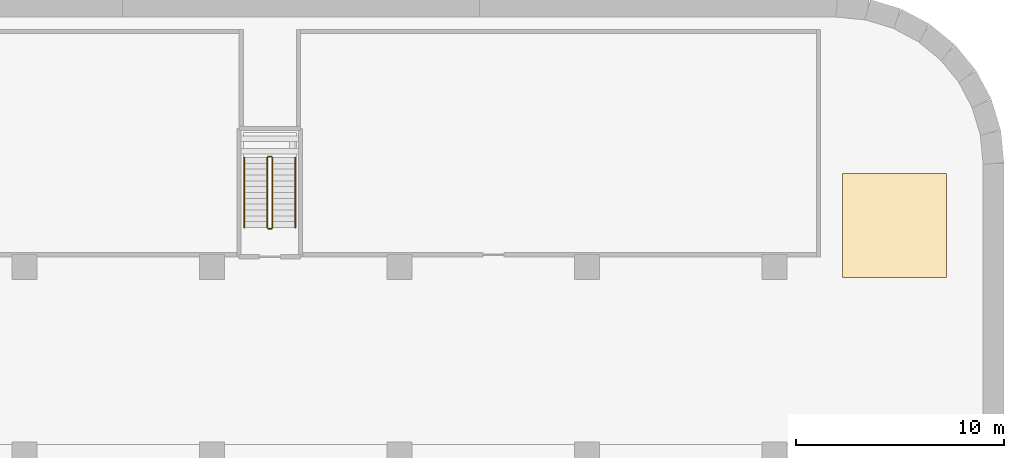
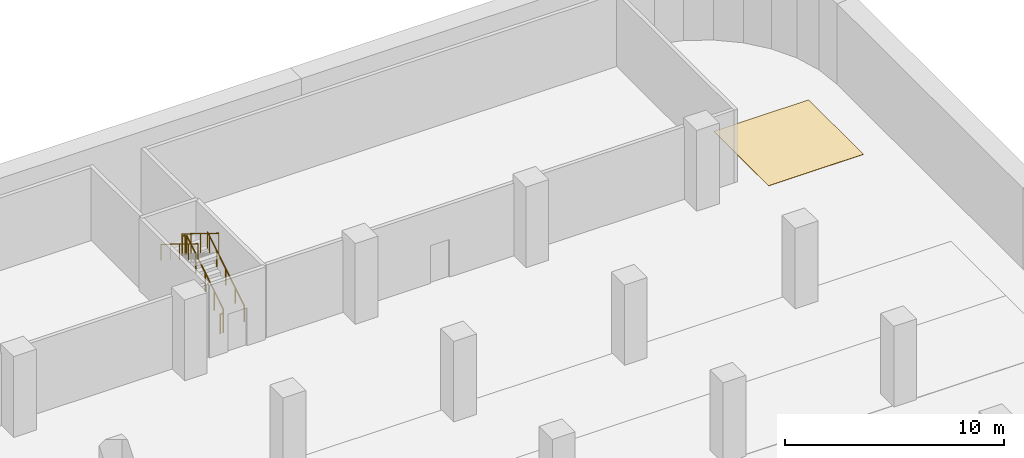
# One storey, part 34 of 34: 6 railings, 1 covering.
"""IFC4 building model written with IfcOpenShell, lengths in metres."""

import ifcopenshell
import ifcopenshell.guid

model = None  # the IFC model being written
_history = None  # IfcOwnerHistory: only IFC2X3 demands one
_inside = {}  # id of a spatial element -> (the spatial element, [elements in it])
_under = {}  # id of a project, library or spatial element -> (it, [spatial elements below it])
_declared = {}  # id of a project -> (the project, [libraries it declares])
_typed = {}  # id of a type object -> (the type object, [elements of that type])
_made_of = {}  # id of a material, layer set ... -> (it, [elements and type objects made of it])


def new_model(schema):
    """Start an empty IFC model of exactly this schema.

    Asked for "IFC4X3", IfcOpenShell would pick the latest addendum, in which some entities
    have other attributes; the version numbers below select the first issue.
    IFC2X3 requires an IfcOwnerHistory on every rooted entity: one is made here for all.
    """
    global model, _history
    if schema == "IFC4X3":
        model = ifcopenshell.file(schema_version=(4, 3, 0, 0))
    else:
        model = ifcopenshell.file(schema=schema)
    _inside.clear()
    _under.clear()
    _declared.clear()
    _typed.clear()
    _made_of.clear()
    _history = None
    if model.schema == "IFC2X3":
        org = make("IfcOrganization", Name="unknown")
        user = make(
            "IfcPersonAndOrganization",
            ThePerson=make("IfcPerson", FamilyName="unknown"),
            TheOrganization=org,
        )
        app = make(
            "IfcApplication",
            ApplicationDeveloper=org,
            Version="unknown",
            ApplicationFullName="unknown",
            ApplicationIdentifier="unknown",
        )
        _history = make(
            "IfcOwnerHistory",
            OwningUser=user,
            OwningApplication=app,
            ChangeAction="ADDED",
            CreationDate=0,
        )
    return model


def make(cls, **values):
    """One entity of the class cls with the attributes given. An attribute that is None is left unset."""
    return model.create_entity(
        cls, **{name: value for name, value in values.items() if value is not None}
    )


def rooted(cls, **values):
    """An entity with a GlobalId (a new one), such as an element, a storey or a relation."""
    return make(cls, GlobalId=ifcopenshell.guid.new(), OwnerHistory=_history, **values)


def si_unit(unit_type, name, prefix=None):
    """IfcSIUnit, for example si_unit("LENGTHUNIT", "METRE", prefix="MILLI")."""
    return make("IfcSIUnit", UnitType=unit_type, Prefix=prefix, Name=name)


def assignment(units):
    """IfcUnitAssignment: the units of a project."""
    return None if units is None else make("IfcUnitAssignment", Units=units)


def point(xyz):
    """IfcCartesianPoint."""
    return None if xyz is None else make("IfcCartesianPoint", Coordinates=xyz)


def direction(xyz):
    """IfcDirection."""
    return None if xyz is None else make("IfcDirection", DirectionRatios=xyz)


def frame(location, z_axis=None, x_axis=None):
    """IfcAxis2Placement3D, a coordinate frame: its origin and axes. An axis left out is left unset."""
    return make(
        "IfcAxis2Placement3D",
        Location=point(location),
        Axis=direction(z_axis),
        RefDirection=direction(x_axis),
    )


def frame_2d(location, x_axis=None):
    """IfcAxis2Placement2D, a coordinate frame in the plane: its origin and x axis."""
    return make(
        "IfcAxis2Placement2D", Location=point(location), RefDirection=direction(x_axis)
    )


def origin():
    """The frame at (0, 0, 0) with its axes left unset."""
    return frame((0.0, 0.0, 0.0))


def origin_2d():
    """The frame at (0, 0) in the plane with its x axis left unset."""
    return frame_2d((0.0, 0.0))


def place(relative_to, where):
    """IfcLocalPlacement: puts the frame where relative to a parent placement (None: the world)."""
    return make(
        "IfcLocalPlacement", PlacementRelTo=relative_to, RelativePlacement=where
    )


def context(
    kind, dimensions, precision=None, world=None, true_north=None, identifier=None
):
    """IfcGeometricRepresentationContext, for example the 3D "Model" context."""
    return make(
        "IfcGeometricRepresentationContext",
        ContextIdentifier=identifier,
        ContextType=kind,
        CoordinateSpaceDimension=dimensions,
        Precision=precision,
        WorldCoordinateSystem=world,
        TrueNorth=true_north,
    )


def subcontext(parent, identifier, kind, view, scale=None):
    """IfcGeometricRepresentationSubContext, for example "Body" below "Model"."""
    return make(
        "IfcGeometricRepresentationSubContext",
        ContextIdentifier=identifier,
        ContextType=kind,
        ParentContext=parent,
        TargetScale=scale,
        TargetView=view,
    )


def project(units=None, contexts=None):
    """IfcProject with its units and contexts."""
    return rooted(
        "IfcProject",
        Name="project",
        RepresentationContexts=contexts,
        UnitsInContext=assignment(units),
    )


def spatial(cls, under=None, at=None, **own):
    """A site, building, storey or space (cls), placed at a placement, below another one or the project."""
    s = rooted(cls, ObjectPlacement=at, **own)
    if under is not None:
        _under.setdefault(under.id(), (under, []))[1].append(s)
    return s


def polyline(points):
    """IfcPolyline through the points."""
    return make("IfcPolyline", Points=[point(p) for p in points])


def profile(cls, at=None, kind="AREA", **sizes):
    """A parametric profile (cls). Its sizes go by their IFC names, for example OverallWidth=200.0."""
    return make(cls, ProfileType=kind, Position=at, **sizes)


def circle(**sizes):
    """IfcCircleProfileDef."""
    return profile("IfcCircleProfileDef", **sizes)


def outline(outer, holes=None, kind="AREA"):
    """IfcArbitraryClosedProfileDef: a profile drawn as a closed curve; with holes, ...WithVoids."""
    if holes is None:
        return make("IfcArbitraryClosedProfileDef", ProfileType=kind, OuterCurve=outer)
    return make(
        "IfcArbitraryProfileDefWithVoids",
        ProfileType=kind,
        OuterCurve=outer,
        InnerCurves=holes,
    )


def extrude(swept, where, along, depth):
    """IfcExtrudedAreaSolid: the profile swept, set in the frame where, extruded along a direction by depth."""
    return make(
        "IfcExtrudedAreaSolid",
        SweptArea=swept,
        Position=where,
        ExtrudedDirection=direction(along),
        Depth=depth,
    )


def shape(context_of_items, identifier, shape_type, items):
    """IfcShapeRepresentation: the items that make up one representation, for example the "Body"."""
    return make(
        "IfcShapeRepresentation",
        ContextOfItems=context_of_items,
        RepresentationIdentifier=identifier,
        RepresentationType=shape_type,
        Items=items,
    )


def material(Name=None, Category=None):
    """IfcMaterial."""
    return make("IfcMaterial", Name=Name, Category=Category)


def layer(
    of_material, thickness, ventilated=None, Name=None, Category=None, Priority=None
):
    """IfcMaterialLayer: one layer of a wall or slab, of a material (None: an air gap)."""
    return make(
        "IfcMaterialLayer",
        Material=of_material,
        LayerThickness=thickness,
        IsVentilated=ventilated,
        Name=Name,
        Category=Category,
        Priority=Priority,
    )


def layer_set(layers, Name=None):
    """IfcMaterialLayerSet."""
    return make("IfcMaterialLayerSet", MaterialLayers=layers, LayerSetName=Name)


def made_of(thing, what):
    """Note that an element or type object is made of a material, layer set ...; save() writes the relation."""
    if what is not None:
        _made_of.setdefault(what.id(), (what, []))[1].append(thing)
    return thing


def type_object(cls, material=None, **own):
    """A type object (cls), such as IfcWallType, which elements share."""
    return made_of(rooted(cls, **own), material)


def element(
    cls,
    number,
    at=None,
    inside=None,
    cuts=None,
    type_object=None,
    material=None,
    context=None,
    identifier="Body",
    shape_type=None,
    held_by="IfcProductDefinitionShape",
    body=None,
    shapes=None,
    **own,
):
    """One element of the class cls, such as IfcWall. Its Tag is "e" and its number.

    at: its placement. inside: the storey or other place that contains it. cuts: it is an
    opening in that element (IfcRelVoidsElement). A single representation is given by context,
    identifier, shape_type and body (its items); several are given by shapes. held_by: the class
    of the entity that holds the representations. save() writes the other relations.
    """
    e = rooted(cls, Tag="e%d" % number, ObjectPlacement=at, **own)
    if body is not None:
        shapes = [shape(context, identifier, shape_type, body)]
    if shapes is not None:
        e.Representation = make(held_by, Representations=shapes)
    if inside is not None:
        _inside.setdefault(inside.id(), (inside, []))[1].append(e)
    if cuts is not None:
        rooted(
            "IfcRelVoidsElement", RelatingBuildingElement=cuts, RelatedOpeningElement=e
        )
    if type_object is not None:
        _typed.setdefault(type_object.id(), (type_object, []))[1].append(e)
    return made_of(e, material)


def aggregate(whole, parts):
    """IfcRelAggregates: a whole, such as a stair, and the parts it consists of."""
    return rooted("IfcRelAggregates", RelatingObject=whole, RelatedObjects=parts)


def save(model, path):
    """Write the relations noted so far, then the file.

    IfcRelAggregates (storeys below a building ...), IfcRelContainedInSpatialStructure (elements
    in a storey), IfcRelDefinesByType, IfcRelAssociatesMaterial and IfcRelDeclares: one each for
    every whole, place, type object, material and project.
    """
    for whole, parts in _under.values():
        aggregate(whole, parts)
    for where, things in _inside.values():
        rooted(
            "IfcRelContainedInSpatialStructure",
            RelatedElements=things,
            RelatingStructure=where,
        )
    for kind, things in _typed.values():
        rooted("IfcRelDefinesByType", RelatedObjects=things, RelatingType=kind)
    for what, things in _made_of.values():
        rooted("IfcRelAssociatesMaterial", RelatedObjects=things, RelatingMaterial=what)
    for by, libraries in _declared.values():
        rooted("IfcRelDeclares", RelatingContext=by, RelatedDefinitions=libraries)
    model.write(path)


model = new_model("IFC4")

# Units and contexts
model_context = context("Model", 3, precision=1e-05, world=origin(), true_north=direction((0.0, 1.0)))
body_context = subcontext(model_context, "Body", "Model", "MODEL_VIEW")
ifc_project = project(units=[si_unit("LENGTHUNIT", "METRE"), si_unit("AREAUNIT", "SQUARE_METRE"), si_unit("VOLUMEUNIT", "CUBIC_METRE"), si_unit("PLANEANGLEUNIT", "RADIAN"), si_unit("MASSUNIT", "GRAM", prefix="KILO")], contexts=[model_context])

# Site, building, storey
site_placement = place(None, origin())
site = spatial("IfcSite", under=ifc_project, at=site_placement, CompositionType="ELEMENT")
building_placement = place(site_placement, origin())
building = spatial("IfcBuilding", under=site, at=building_placement, Name="Ogive Gate Towers", CompositionType="ELEMENT")
storey_placement = place(building_placement, frame((0.0, 0.0, -4.5)))
storey = spatial("IfcBuildingStorey", under=building, at=storey_placement, Name="B1", CompositionType="ELEMENT", Elevation=-4.5)

# Railings
ifc_material_1 = material(Name="Painted steel", Category="steel")
railing_type_1 = type_object("IfcRailingType", Name="Car park stair guard 1100", PredefinedType="GUARDRAIL", material=ifc_material_1)
railing_1_placement = place(storey_placement, frame((92.89990234375, 64.89990234375, 0.173095703125)))
element("IfcRailing", 1, at=railing_1_placement, inside=storey, type_object=railing_type_1, Name="B1 CS4 stair guard 1", PredefinedType="GUARDRAIL", context=body_context, shape_type="SweptSolid", body=[
    extrude(circle(Radius=0.02392578125, at=origin_2d()), frame((0.0, 0.0, 1.076171875), z_axis=(0.0, 0.850623216509, 0.525775754039), x_axis=(-1.0, 0.0, 0.0)), (0.0, 0.0, 1.0), 3.9501953125),
    extrude(circle(Radius=0.02099609375, at=origin_2d()), origin(), (0.0, 0.0, 1.0), 1.052001953125),
    extrude(circle(Radius=0.02099609375, at=origin_2d()), frame((0.0, 0.840087890625, 0.519287109375)), (0.0, 0.0, 1.0), 1.052001953125),
    extrude(circle(Radius=0.02099609375, at=origin_2d()), frame((0.0, 1.68017578125, 1.03857421875)), (0.0, 0.0, 1.0), 1.052001953125),
    extrude(circle(Radius=0.02099609375, at=origin_2d()), frame((0.0, 2.52001953125, 1.5576171875)), (0.0, 0.0, 1.0), 1.052001953125),
    extrude(circle(Radius=0.02099609375, at=origin_2d()), frame((0.0, 3.360107421875, 2.076904296875)), (0.0, 0.0, 1.0), 1.052001953125),
])
railing_2_placement = place(storey_placement, frame((92.85009765625, 68.31005859375, 2.25)))
element("IfcRailing", 2, at=railing_2_placement, inside=storey, type_object=railing_type_1, Name="B1 CS4 stair guard 2", PredefinedType="GUARDRAIL", context=body_context, shape_type="SweptSolid", body=[
    extrude(circle(Radius=0.02392578125, at=origin_2d()), frame((0.0, 0.0, 1.076171875), z_axis=(-1.0, 0.0, 0.0), x_axis=(0.0, -1.0, 0.0)), (0.0, 0.0, 1.0), 0.150146484375),
    extrude(circle(Radius=0.02099609375, at=origin_2d()), origin(), (0.0, 0.0, 1.0), 1.052001953125),
    extrude(circle(Radius=0.02099609375, at=origin_2d()), frame((-0.150146484375, 0.0, 0.0)), (0.0, 0.0, 1.0), 1.052001953125),
])
railing_3_placement = place(storey_placement, frame((92.64990234375, 68.260009765625, 2.423095703125)))
element("IfcRailing", 3, at=railing_3_placement, inside=storey, type_object=railing_type_1, Name="B1 CS4 stair guard 3", PredefinedType="GUARDRAIL", context=body_context, shape_type="SweptSolid", body=[
    extrude(circle(Radius=0.02392578125, at=origin_2d()), frame((0.0, 0.0, 1.076171875), z_axis=(0.0, -0.850623216509, 0.525775754039), x_axis=(1.0, 0.0, 0.0)), (0.0, 0.0, 1.0), 3.9501953125),
    extrude(circle(Radius=0.02099609375, at=origin_2d()), origin(), (0.0, 0.0, 1.0), 1.052001953125),
    extrude(circle(Radius=0.02099609375, at=origin_2d()), frame((0.0, -0.840087890625, 0.519287109375)), (0.0, 0.0, 1.0), 1.052001953125),
    extrude(circle(Radius=0.02099609375, at=origin_2d()), frame((0.0, -1.68017578125, 1.03857421875)), (0.0, 0.0, 1.0), 1.052001953125),
    extrude(circle(Radius=0.02099609375, at=origin_2d()), frame((0.0, -2.52001953125, 1.5576171875)), (0.0, 0.0, 1.0), 1.052001953125),
    extrude(circle(Radius=0.02099609375, at=origin_2d()), frame((0.0, -3.360107421875, 2.076904296875)), (0.0, 0.0, 1.0), 1.052001953125),
])
railing_4_placement = place(storey_placement, frame((92.85009765625, 64.85009765625, 0.0)))
element("IfcRailing", 4, at=railing_4_placement, inside=storey, type_object=railing_type_1, Name="B1 CS4 stair guard 4", PredefinedType="GUARDRAIL", context=body_context, shape_type="SweptSolid", body=[
    extrude(circle(Radius=0.02392578125, at=origin_2d()), frame((0.0, 0.0, 1.076171875), z_axis=(-1.0, 0.0, 0.0), x_axis=(0.0, -1.0, 0.0)), (0.0, 0.0, 1.0), 0.150146484375),
    extrude(circle(Radius=0.02099609375, at=origin_2d()), origin(), (0.0, 0.0, 1.0), 1.052001953125),
    extrude(circle(Radius=0.02099609375, at=origin_2d()), frame((-0.150146484375, 0.0, 0.0)), (0.0, 0.0, 1.0), 1.052001953125),
])
ifc_material_2 = material(Name="Stainless steel handrail", Category="steel")
railing_type_2 = type_object("IfcRailingType", Name="Car park stair handrail 900", PredefinedType="HANDRAIL", material=ifc_material_2)
railing_5_placement = place(storey_placement, frame((94.0, 64.89990234375, 0.173095703125)))
element("IfcRailing", 5, at=railing_5_placement, inside=storey, type_object=railing_type_2, Name="B1 CS4 stair handrail 1", PredefinedType="HANDRAIL", context=body_context, shape_type="SweptSolid", body=[
    extrude(circle(Radius=0.02392578125, at=origin_2d()), frame((0.0, 0.0, 0.8759765625), z_axis=(0.0, 0.850623216509, 0.525775754039), x_axis=(-1.0, 0.0, 0.0)), (0.0, 0.0, 1.0), 3.9501953125),
    extrude(circle(Radius=0.02099609375, at=origin_2d()), origin(), (0.0, 0.0, 1.0), 0.851806640625),
    extrude(circle(Radius=0.02099609375, at=origin_2d()), frame((0.0, 0.840087890625, 0.519287109375)), (0.0, 0.0, 1.0), 0.851806640625),
    extrude(circle(Radius=0.02099609375, at=origin_2d()), frame((0.0, 1.68017578125, 1.03857421875)), (0.0, 0.0, 1.0), 0.851806640625),
    extrude(circle(Radius=0.02099609375, at=origin_2d()), frame((0.0, 2.52001953125, 1.5576171875)), (0.0, 0.0, 1.0), 0.851806640625),
    extrude(circle(Radius=0.02099609375, at=origin_2d()), frame((0.0, 3.360107421875, 2.076904296875)), (0.0, 0.0, 1.0), 0.851806640625),
])
railing_6_placement = place(storey_placement, frame((91.550048828125, 68.260009765625, 2.423095703125)))
element("IfcRailing", 6, at=railing_6_placement, inside=storey, type_object=railing_type_2, Name="B1 CS4 stair handrail 2", PredefinedType="HANDRAIL", context=body_context, shape_type="SweptSolid", body=[
    extrude(circle(Radius=0.02392578125, at=origin_2d()), frame((0.0, 0.0, 0.8759765625), z_axis=(0.0, -0.850623216509, 0.525775754039), x_axis=(1.0, 0.0, 0.0)), (0.0, 0.0, 1.0), 3.9501953125),
    extrude(circle(Radius=0.02099609375, at=origin_2d()), origin(), (0.0, 0.0, 1.0), 0.851806640625),
    extrude(circle(Radius=0.02099609375, at=origin_2d()), frame((0.0, -0.840087890625, 0.519287109375)), (0.0, 0.0, 1.0), 0.851806640625),
    extrude(circle(Radius=0.02099609375, at=origin_2d()), frame((0.0, -1.68017578125, 1.03857421875)), (0.0, 0.0, 1.0), 0.851806640625),
    extrude(circle(Radius=0.02099609375, at=origin_2d()), frame((0.0, -2.52001953125, 1.5576171875)), (0.0, 0.0, 1.0), 0.851806640625),
    extrude(circle(Radius=0.02099609375, at=origin_2d()), frame((0.0, -3.360107421875, 2.076904296875)), (0.0, 0.0, 1.0), 0.851806640625),
])

# Covering
ifc_material_3 = material(Name="Painted floor marking")
ifc_layer = layer(ifc_material_3, 0.02001953125)
ifc_layer_set = layer_set([ifc_layer], Name="Parking bay marking")
covering_type = type_object("IfcCoveringType", Name="Parking bay marking", PredefinedType="FLOORING", material=ifc_layer_set)
covering_placement = place(storey_placement, origin())
element("IfcCovering", 7, at=covering_placement, inside=storey, type_object=covering_type, Name="Parking bays B1-170 to B1-171", PredefinedType="FLOORING", context=body_context, shape_type="SweptSolid", body=[
    extrude(outline(polyline([(125.25, 67.5), (125.25, 62.5), (120.25, 62.5), (120.25, 67.5), (125.25, 67.5)])), origin(), (0.0, 0.0, 1.0), 0.02001953125),
])

save(model, "model.ifc")
